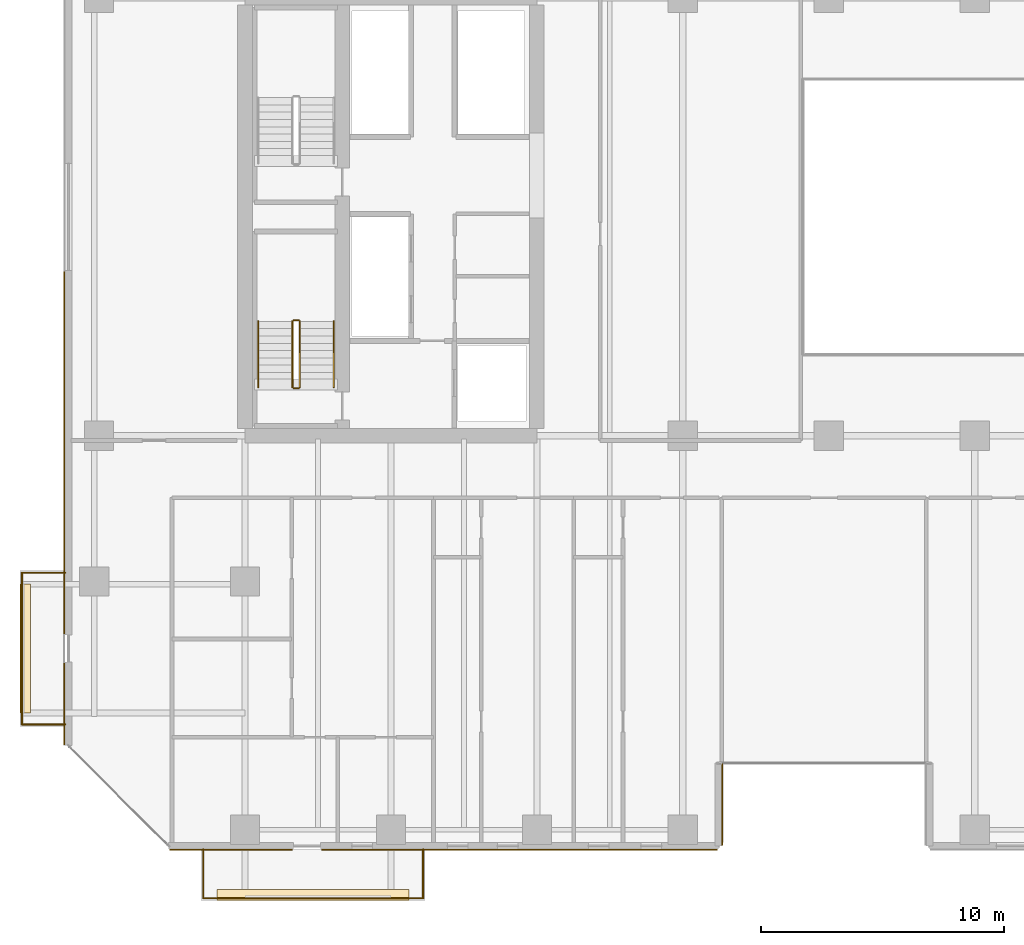
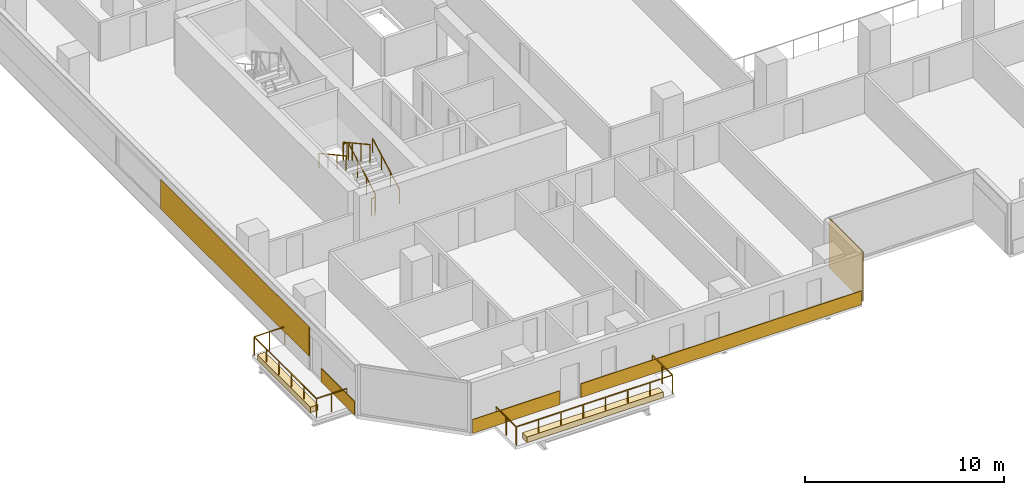
# One storey, part 25 of 33: 8 railings, 7 coverings.
"""IFC4 building model written with IfcOpenShell, lengths in metres."""

import ifcopenshell
import ifcopenshell.guid

model = None  # the IFC model being written
_history = None  # IfcOwnerHistory: only IFC2X3 demands one
_inside = {}  # id of a spatial element -> (the spatial element, [elements in it])
_under = {}  # id of a project, library or spatial element -> (it, [spatial elements below it])
_declared = {}  # id of a project -> (the project, [libraries it declares])
_typed = {}  # id of a type object -> (the type object, [elements of that type])
_made_of = {}  # id of a material, layer set ... -> (it, [elements and type objects made of it])


def new_model(schema):
    """Start an empty IFC model of exactly this schema.

    Asked for "IFC4X3", IfcOpenShell would pick the latest addendum, in which some entities
    have other attributes; the version numbers below select the first issue.
    IFC2X3 requires an IfcOwnerHistory on every rooted entity: one is made here for all.
    """
    global model, _history
    if schema == "IFC4X3":
        model = ifcopenshell.file(schema_version=(4, 3, 0, 0))
    else:
        model = ifcopenshell.file(schema=schema)
    _inside.clear()
    _under.clear()
    _declared.clear()
    _typed.clear()
    _made_of.clear()
    _history = None
    if model.schema == "IFC2X3":
        org = make("IfcOrganization", Name="unknown")
        user = make(
            "IfcPersonAndOrganization",
            ThePerson=make("IfcPerson", FamilyName="unknown"),
            TheOrganization=org,
        )
        app = make(
            "IfcApplication",
            ApplicationDeveloper=org,
            Version="unknown",
            ApplicationFullName="unknown",
            ApplicationIdentifier="unknown",
        )
        _history = make(
            "IfcOwnerHistory",
            OwningUser=user,
            OwningApplication=app,
            ChangeAction="ADDED",
            CreationDate=0,
        )
    return model


def make(cls, **values):
    """One entity of the class cls with the attributes given. An attribute that is None is left unset."""
    return model.create_entity(
        cls, **{name: value for name, value in values.items() if value is not None}
    )


def rooted(cls, **values):
    """An entity with a GlobalId (a new one), such as an element, a storey or a relation."""
    return make(cls, GlobalId=ifcopenshell.guid.new(), OwnerHistory=_history, **values)


def si_unit(unit_type, name, prefix=None):
    """IfcSIUnit, for example si_unit("LENGTHUNIT", "METRE", prefix="MILLI")."""
    return make("IfcSIUnit", UnitType=unit_type, Prefix=prefix, Name=name)


def assignment(units):
    """IfcUnitAssignment: the units of a project."""
    return None if units is None else make("IfcUnitAssignment", Units=units)


def point(xyz):
    """IfcCartesianPoint."""
    return None if xyz is None else make("IfcCartesianPoint", Coordinates=xyz)


def direction(xyz):
    """IfcDirection."""
    return None if xyz is None else make("IfcDirection", DirectionRatios=xyz)


def frame(location, z_axis=None, x_axis=None):
    """IfcAxis2Placement3D, a coordinate frame: its origin and axes. An axis left out is left unset."""
    return make(
        "IfcAxis2Placement3D",
        Location=point(location),
        Axis=direction(z_axis),
        RefDirection=direction(x_axis),
    )


def frame_2d(location, x_axis=None):
    """IfcAxis2Placement2D, a coordinate frame in the plane: its origin and x axis."""
    return make(
        "IfcAxis2Placement2D", Location=point(location), RefDirection=direction(x_axis)
    )


def origin():
    """The frame at (0, 0, 0) with its axes left unset."""
    return frame((0.0, 0.0, 0.0))


def origin_2d():
    """The frame at (0, 0) in the plane with its x axis left unset."""
    return frame_2d((0.0, 0.0))


def place(relative_to, where):
    """IfcLocalPlacement: puts the frame where relative to a parent placement (None: the world)."""
    return make(
        "IfcLocalPlacement", PlacementRelTo=relative_to, RelativePlacement=where
    )


def context(
    kind, dimensions, precision=None, world=None, true_north=None, identifier=None
):
    """IfcGeometricRepresentationContext, for example the 3D "Model" context."""
    return make(
        "IfcGeometricRepresentationContext",
        ContextIdentifier=identifier,
        ContextType=kind,
        CoordinateSpaceDimension=dimensions,
        Precision=precision,
        WorldCoordinateSystem=world,
        TrueNorth=true_north,
    )


def subcontext(parent, identifier, kind, view, scale=None):
    """IfcGeometricRepresentationSubContext, for example "Body" below "Model"."""
    return make(
        "IfcGeometricRepresentationSubContext",
        ContextIdentifier=identifier,
        ContextType=kind,
        ParentContext=parent,
        TargetScale=scale,
        TargetView=view,
    )


def project(units=None, contexts=None):
    """IfcProject with its units and contexts."""
    return rooted(
        "IfcProject",
        Name="project",
        RepresentationContexts=contexts,
        UnitsInContext=assignment(units),
    )


def spatial(cls, under=None, at=None, **own):
    """A site, building, storey or space (cls), placed at a placement, below another one or the project."""
    s = rooted(cls, ObjectPlacement=at, **own)
    if under is not None:
        _under.setdefault(under.id(), (under, []))[1].append(s)
    return s


def polyline(points):
    """IfcPolyline through the points."""
    return make("IfcPolyline", Points=[point(p) for p in points])


def profile(cls, at=None, kind="AREA", **sizes):
    """A parametric profile (cls). Its sizes go by their IFC names, for example OverallWidth=200.0."""
    return make(cls, ProfileType=kind, Position=at, **sizes)


def rectangle(**sizes):
    """IfcRectangleProfileDef."""
    return profile("IfcRectangleProfileDef", **sizes)


def outline(outer, holes=None, kind="AREA"):
    """IfcArbitraryClosedProfileDef: a profile drawn as a closed curve; with holes, ...WithVoids."""
    if holes is None:
        return make("IfcArbitraryClosedProfileDef", ProfileType=kind, OuterCurve=outer)
    return make(
        "IfcArbitraryProfileDefWithVoids",
        ProfileType=kind,
        OuterCurve=outer,
        InnerCurves=holes,
    )


def extrude(swept, where, along, depth):
    """IfcExtrudedAreaSolid: the profile swept, set in the frame where, extruded along a direction by depth."""
    return make(
        "IfcExtrudedAreaSolid",
        SweptArea=swept,
        Position=where,
        ExtrudedDirection=direction(along),
        Depth=depth,
    )


def shape(context_of_items, identifier, shape_type, items):
    """IfcShapeRepresentation: the items that make up one representation, for example the "Body"."""
    return make(
        "IfcShapeRepresentation",
        ContextOfItems=context_of_items,
        RepresentationIdentifier=identifier,
        RepresentationType=shape_type,
        Items=items,
    )


def material(Name=None, Category=None):
    """IfcMaterial."""
    return make("IfcMaterial", Name=Name, Category=Category)


def layer(
    of_material, thickness, ventilated=None, Name=None, Category=None, Priority=None
):
    """IfcMaterialLayer: one layer of a wall or slab, of a material (None: an air gap)."""
    return make(
        "IfcMaterialLayer",
        Material=of_material,
        LayerThickness=thickness,
        IsVentilated=ventilated,
        Name=Name,
        Category=Category,
        Priority=Priority,
    )


def layer_set(layers, Name=None):
    """IfcMaterialLayerSet."""
    return make("IfcMaterialLayerSet", MaterialLayers=layers, LayerSetName=Name)


def made_of(thing, what):
    """Note that an element or type object is made of a material, layer set ...; save() writes the relation."""
    if what is not None:
        _made_of.setdefault(what.id(), (what, []))[1].append(thing)
    return thing


def type_object(cls, material=None, **own):
    """A type object (cls), such as IfcWallType, which elements share."""
    return made_of(rooted(cls, **own), material)


def element(
    cls,
    number,
    at=None,
    inside=None,
    cuts=None,
    type_object=None,
    material=None,
    context=None,
    identifier="Body",
    shape_type=None,
    held_by="IfcProductDefinitionShape",
    body=None,
    shapes=None,
    **own,
):
    """One element of the class cls, such as IfcWall. Its Tag is "e" and its number.

    at: its placement. inside: the storey or other place that contains it. cuts: it is an
    opening in that element (IfcRelVoidsElement). A single representation is given by context,
    identifier, shape_type and body (its items); several are given by shapes. held_by: the class
    of the entity that holds the representations. save() writes the other relations.
    """
    e = rooted(cls, Tag="e%d" % number, ObjectPlacement=at, **own)
    if body is not None:
        shapes = [shape(context, identifier, shape_type, body)]
    if shapes is not None:
        e.Representation = make(held_by, Representations=shapes)
    if inside is not None:
        _inside.setdefault(inside.id(), (inside, []))[1].append(e)
    if cuts is not None:
        rooted(
            "IfcRelVoidsElement", RelatingBuildingElement=cuts, RelatedOpeningElement=e
        )
    if type_object is not None:
        _typed.setdefault(type_object.id(), (type_object, []))[1].append(e)
    return made_of(e, material)


def aggregate(whole, parts):
    """IfcRelAggregates: a whole, such as a stair, and the parts it consists of."""
    return rooted("IfcRelAggregates", RelatingObject=whole, RelatedObjects=parts)


def save(model, path):
    """Write the relations noted so far, then the file.

    IfcRelAggregates (storeys below a building ...), IfcRelContainedInSpatialStructure (elements
    in a storey), IfcRelDefinesByType, IfcRelAssociatesMaterial and IfcRelDeclares: one each for
    every whole, place, type object, material and project.
    """
    for whole, parts in _under.values():
        aggregate(whole, parts)
    for where, things in _inside.values():
        rooted(
            "IfcRelContainedInSpatialStructure",
            RelatedElements=things,
            RelatingStructure=where,
        )
    for kind, things in _typed.values():
        rooted("IfcRelDefinesByType", RelatedObjects=things, RelatingType=kind)
    for what, things in _made_of.values():
        rooted("IfcRelAssociatesMaterial", RelatedObjects=things, RelatingMaterial=what)
    for by, libraries in _declared.values():
        rooted("IfcRelDeclares", RelatingContext=by, RelatedDefinitions=libraries)
    model.write(path)


model = new_model("IFC4")

# Units and contexts
model_context = context("Model", 3, precision=1e-05, world=origin(), true_north=direction((0.0, 1.0)))
body_context = subcontext(model_context, "Body", "Model", "MODEL_VIEW")
ifc_project = project(units=[si_unit("LENGTHUNIT", "METRE"), si_unit("AREAUNIT", "SQUARE_METRE"), si_unit("VOLUMEUNIT", "CUBIC_METRE"), si_unit("PLANEANGLEUNIT", "RADIAN"), si_unit("MASSUNIT", "GRAM", prefix="KILO")], contexts=[model_context])

# Site, building, storey
site_placement = place(None, origin())
site = spatial("IfcSite", under=ifc_project, at=site_placement, CompositionType="ELEMENT")
building_placement = place(site_placement, origin())
building = spatial("IfcBuilding", under=site, at=building_placement, Name="Tanjung Sevakor Pilgrim Tower", CompositionType="ELEMENT")
storey_placement = place(building_placement, frame((0.0, 0.0, 32.340087890625)))
storey = spatial("IfcBuildingStorey", under=building, at=storey_placement, Name="L08", CompositionType="ELEMENT", Elevation=32.340087890625)

# Coverings
ifc_material_1 = material(Name="Reconstructed Limestone Cladding", Category="masonry")
ifc_layer_1 = layer(ifc_material_1, 0.044921875)
ifc_layer_set_1 = layer_set([ifc_layer_1], Name="COV-CLAD-LIMESTONE")
covering_type_1 = type_object("IfcCoveringType", Name="COV-CLAD-LIMESTONE", PredefinedType="CLADDING", material=ifc_layer_set_1)
covering_1_placement = place(storey_placement, frame((23.4189453125, 7.577392578125, 0.009765625), z_axis=(0.0, 0.0, 1.0), x_axis=(1.0, 0.0, 0.0)))
element("IfcCovering", 1, at=covering_1_placement, inside=storey, type_object=covering_type_1, Name="L08 Warm Limestone Sill Spandrel EW-L08-MAIN-1-1", PredefinedType="CLADDING", context=body_context, shape_type="SweptSolid", body=[
    extrude(rectangle(XDim=5.0419921875, YDim=0.044921875, at=origin_2d()), origin(), (0.0, 0.0, 1.0), 0.840087890625),
])
covering_2_placement = place(storey_placement, frame((35.2900390625, 7.577392578125, 0.009765625), z_axis=(0.0, 0.0, 1.0), x_axis=(1.0, 0.0, 0.0)))
element("IfcCovering", 2, at=covering_2_placement, inside=storey, type_object=covering_type_1, Name="L08 Warm Limestone Sill Spandrel EW-L08-MAIN-1-2", PredefinedType="CLADDING", context=body_context, shape_type="SweptSolid", body=[
    extrude(rectangle(XDim=16.260009765625, YDim=0.044921875, at=origin_2d()), origin(), (0.0, 0.0, 1.0), 0.840087890625),
])
covering_3_placement = place(storey_placement, frame((43.62255859375, 9.43994140625, 0.019775390625), z_axis=(0.0, 0.0, 1.0), x_axis=(0.0, 1.0, 0.0)))
element("IfcCovering", 3, at=covering_3_placement, inside=storey, type_object=covering_type_1, Name="L08 Warm Limestone Wall Cladding EW-L08-MAIN-2", PredefinedType="CLADDING", context=body_context, shape_type="SweptSolid", body=[
    extrude(rectangle(XDim=3.360107421875, YDim=0.044921875, at=origin_2d()), origin(), (0.0, 0.0, 1.0), 3.0400390625),
])
covering_4_placement = place(storey_placement, frame((16.577392578125, 13.569091796875, 0.009765625), z_axis=(0.0, 0.0, 1.0), x_axis=(0.0, -1.0, 0.0)))
element("IfcCovering", 4, at=covering_4_placement, inside=storey, type_object=covering_type_1, Name="L08 Warm Limestone Sill Spandrel EW-L08-MAIN-15-2", PredefinedType="CLADDING", context=body_context, shape_type="SweptSolid", body=[
    extrude(rectangle(XDim=3.342041015625, YDim=0.044921875, at=origin_2d()), origin(), (0.0, 0.0, 1.0), 0.840087890625),
])
covering_5_placement = place(storey_placement, frame((16.577392578125, 23.89990234375, 0.849853515625), z_axis=(0.0, 0.0, 1.0), x_axis=(0.0, -1.0, 0.0)))
element("IfcCovering", 5, at=covering_5_placement, inside=storey, type_object=covering_type_1, Name="L08 Warm Limestone Pier Panel EW-L08-MAIN-15-2", PredefinedType="CLADDING", context=body_context, shape_type="SweptSolid", body=[
    extrude(rectangle(XDim=14.89990234375, YDim=0.044921875, at=origin_2d()), origin(), (0.0, 0.0, 1.0), 1.81005859375),
])
ifc_material_2 = material(Name="Vegetated Modular Planter Assembly", Category="organic")
ifc_layer_2 = layer(ifc_material_2, 0.35009765625)
ifc_layer_set_2 = layer_set([ifc_layer_2], Name="COV-GRN-TROUGH")
covering_type_2 = type_object("IfcCoveringType", Name="COV-GRN-TROUGH", PredefinedType="CLADDING", material=ifc_layer_set_2)
covering_6_placement = place(storey_placement, origin())
element("IfcCovering", 6, at=covering_6_placement, inside=storey, type_object=covering_type_2, Name="L08 Planted Landscape Hedge Trough BGRN-L08-MAIN-S1", PredefinedType="CLADDING", context=body_context, shape_type="SweptSolid", body=[
    extrude(outline(polyline([(22.85009765625, 5.5), (30.75, 5.5), (30.75, 5.93994140625), (22.85009765625, 5.93994140625), (22.85009765625, 5.5)])), origin(), (0.0, 0.0, 1.0), 0.349853515625),
])
covering_7_placement = place(storey_placement, origin())
element("IfcCovering", 7, at=covering_7_placement, inside=storey, type_object=covering_type_2, Name="L08 Planted Landscape Hedge Trough BGRN-L08-MAIN-W1", PredefinedType="CLADDING", context=body_context, shape_type="SweptSolid", body=[
    extrude(outline(polyline([(15.18994140625, 13.199951171875), (15.18994140625, 18.5), (14.75, 18.5), (14.75, 13.199951171875), (15.18994140625, 13.199951171875)])), origin(), (0.0, 0.0, 1.0), 0.349853515625),
])

# Railings
ifc_material_3 = material(Name="Laminated Glass and Aluminium", Category="aluminium")
railing_type_1 = type_object("IfcRailingType", Name="RL-BAL-BALUST", PredefinedType="BALUSTRADE", material=ifc_material_3)
railing_1_placement = place(storey_placement, frame((22.280029296875, 7.60009765625, 0.0)))
element("IfcRailing", 8, at=railing_1_placement, inside=storey, type_object=railing_type_1, Name="L08 Loggia Balustrade MAIN-S1", PredefinedType="BALUSTRADE", context=body_context, shape_type="SweptSolid", body=[
    extrude(rectangle(XDim=0.0479, YDim=0.0479), frame((0.0, 0.0, 1.1259765625), z_axis=(0.0, -1.0, 0.0), x_axis=(1.0, 0.0, 0.0)), (0.0, 0.0, 1.0), 2.02001953125),
    extrude(rectangle(XDim=0.0479, YDim=0.0479), frame((0.0, -2.02001953125, 1.1259765625), z_axis=(1.0, 0.0, 0.0), x_axis=(0.0, 1.0, 0.0)), (0.0, 0.0, 1.0), 9.0400390625),
    extrude(rectangle(XDim=0.0479, YDim=0.0479), frame((9.0400390625, -2.02001953125, 1.1259765625), z_axis=(0.0, 1.0, 0.0), x_axis=(-1.0, 0.0, 0.0)), (0.0, 0.0, 1.0), 2.02001953125),
    extrude(rectangle(XDim=0.042, YDim=0.042), origin(), (0.0, 0.0, 1.0), 1.101806640625),
    extrude(rectangle(XDim=0.042, YDim=0.042), frame((0.0, -1.010009765625, 0.0)), (0.0, 0.0, 1.0), 1.101806640625),
    extrude(rectangle(XDim=0.042, YDim=0.042), frame((0.0, -2.02001953125, 0.0)), (0.0, 0.0, 1.0), 1.101806640625),
    extrude(rectangle(XDim=0.042, YDim=0.042), frame((1.29150390625, -2.02001953125, 0.0)), (0.0, 0.0, 1.0), 1.101806640625),
    extrude(rectangle(XDim=0.042, YDim=0.042), frame((2.582763671875, -2.02001953125, 0.0)), (0.0, 0.0, 1.0), 1.101806640625),
    extrude(rectangle(XDim=0.042, YDim=0.042), frame((3.874267578125, -2.02001953125, 0.0)), (0.0, 0.0, 1.0), 1.101806640625),
    extrude(rectangle(XDim=0.042, YDim=0.042), frame((5.165771484375, -2.02001953125, 0.0)), (0.0, 0.0, 1.0), 1.101806640625),
    extrude(rectangle(XDim=0.042, YDim=0.042), frame((6.457275390625, -2.02001953125, 0.0)), (0.0, 0.0, 1.0), 1.101806640625),
    extrude(rectangle(XDim=0.042, YDim=0.042), frame((7.74853515625, -2.02001953125, 0.0)), (0.0, 0.0, 1.0), 1.101806640625),
    extrude(rectangle(XDim=0.042, YDim=0.042), frame((9.0400390625, -2.02001953125, 0.0)), (0.0, 0.0, 1.0), 1.101806640625),
    extrude(rectangle(XDim=0.042, YDim=0.042), frame((9.0400390625, -1.010009765625, 0.0)), (0.0, 0.0, 1.0), 1.101806640625),
    extrude(rectangle(XDim=0.042, YDim=0.042), frame((9.0400390625, 0.0, 0.0)), (0.0, 0.0, 1.0), 1.101806640625),
])
railing_2_placement = place(storey_placement, frame((16.60009765625, 12.72998046875, 0.0)))
element("IfcRailing", 9, at=railing_2_placement, inside=storey, type_object=railing_type_1, Name="L08 Loggia Balustrade MAIN-W1", PredefinedType="BALUSTRADE", context=body_context, shape_type="SweptSolid", body=[
    extrude(rectangle(XDim=0.0479, YDim=0.0479), frame((0.0, 0.0, 1.1259765625), z_axis=(-1.0, 0.0, 0.0), x_axis=(0.0, -1.0, 0.0)), (0.0, 0.0, 1.0), 1.77001953125),
    extrude(rectangle(XDim=0.0479, YDim=0.0479), frame((-1.77001953125, 0.0, 1.1259765625), z_axis=(0.0, 1.0, 0.0), x_axis=(-1.0, 0.0, 0.0)), (0.0, 0.0, 1.0), 6.239990234375),
    extrude(rectangle(XDim=0.0479, YDim=0.0479), frame((-1.77001953125, 6.239990234375, 1.1259765625), z_axis=(1.0, 0.0, 0.0), x_axis=(0.0, 1.0, 0.0)), (0.0, 0.0, 1.0), 1.77001953125),
    extrude(rectangle(XDim=0.042, YDim=0.042), origin(), (0.0, 0.0, 1.0), 1.101806640625),
    extrude(rectangle(XDim=0.042, YDim=0.042), frame((-0.885009765625, 0.0, 0.0)), (0.0, 0.0, 1.0), 1.101806640625),
    extrude(rectangle(XDim=0.042, YDim=0.042), frame((-1.77001953125, 0.0, 0.0)), (0.0, 0.0, 1.0), 1.101806640625),
    extrude(rectangle(XDim=0.042, YDim=0.042), frame((-1.77001953125, 1.248046875, 0.0)), (0.0, 0.0, 1.0), 1.101806640625),
    extrude(rectangle(XDim=0.042, YDim=0.042), frame((-1.77001953125, 2.49609375, 0.0)), (0.0, 0.0, 1.0), 1.101806640625),
    extrude(rectangle(XDim=0.042, YDim=0.042), frame((-1.77001953125, 3.743896484375, 0.0)), (0.0, 0.0, 1.0), 1.101806640625),
    extrude(rectangle(XDim=0.042, YDim=0.042), frame((-1.77001953125, 4.991943359375, 0.0)), (0.0, 0.0, 1.0), 1.101806640625),
    extrude(rectangle(XDim=0.042, YDim=0.042), frame((-1.77001953125, 6.239990234375, 0.0)), (0.0, 0.0, 1.0), 1.101806640625),
    extrude(rectangle(XDim=0.042, YDim=0.042), frame((-0.885009765625, 6.239990234375, 0.0)), (0.0, 0.0, 1.0), 1.101806640625),
    extrude(rectangle(XDim=0.042, YDim=0.042), frame((0.0, 6.239990234375, 0.0)), (0.0, 0.0, 1.0), 1.101806640625),
])
ifc_material_4 = material(Name="Steel S355J2", Category="steel")
railing_type_2 = type_object("IfcRailingType", Name="RL-STAIR-GUARD", PredefinedType="GUARDRAIL", material=ifc_material_4)
railing_3_placement = place(storey_placement, frame((26.25, 26.60009765625, 0.164794921875)))
element("IfcRailing", 10, at=railing_3_placement, inside=storey, type_object=railing_type_2, Name="L08 TS-W1 stair guard 1", PredefinedType="GUARDRAIL", context=body_context, shape_type="SweptSolid", body=[
    extrude(rectangle(XDim=0.0479, YDim=0.0479), frame((0.0, 0.0, 1.076171875), z_axis=(0.0, 0.876197507361, 0.481952205197), x_axis=(-1.0, 0.0, 0.0)), (0.0, 0.0, 1.0), 3.08154296875),
    extrude(rectangle(XDim=0.042, YDim=0.042), origin(), (0.0, 0.0, 1.0), 1.052001953125),
    extrude(rectangle(XDim=0.042, YDim=0.042), frame((0.0, 0.89990234375, 0.4951171875)), (0.0, 0.0, 1.0), 1.052001953125),
    extrude(rectangle(XDim=0.042, YDim=0.042), frame((0.0, 1.800048828125, 0.989990234375)), (0.0, 0.0, 1.0), 1.052001953125),
    extrude(rectangle(XDim=0.042, YDim=0.042), frame((0.0, 2.699951171875, 1.485107421875)), (0.0, 0.0, 1.0), 1.052001953125),
])
railing_4_placement = place(storey_placement, frame((26.199951171875, 29.35009765625, 1.64990234375)))
element("IfcRailing", 11, at=railing_4_placement, inside=storey, type_object=railing_type_2, Name="L08 TS-W1 stair guard 2", PredefinedType="GUARDRAIL", context=body_context, shape_type="SweptSolid", body=[
    extrude(rectangle(XDim=0.0479, YDim=0.0479), frame((0.0, 0.0, 1.076171875), z_axis=(-1.0, 0.0, 0.0), x_axis=(0.0, -1.0, 0.0)), (0.0, 0.0, 1.0), 0.199951171875),
    extrude(rectangle(XDim=0.042, YDim=0.042), origin(), (0.0, 0.0, 1.0), 1.052001953125),
    extrude(rectangle(XDim=0.042, YDim=0.042), frame((-0.199951171875, 0.0, 0.0)), (0.0, 0.0, 1.0), 1.052001953125),
])
railing_5_placement = place(storey_placement, frame((25.949951171875, 29.300048828125, 1.81494140625)))
element("IfcRailing", 12, at=railing_5_placement, inside=storey, type_object=railing_type_2, Name="L08 TS-W1 stair guard 3", PredefinedType="GUARDRAIL", context=body_context, shape_type="SweptSolid", body=[
    extrude(rectangle(XDim=0.0479, YDim=0.0479), frame((0.0, 0.0, 1.076171875), z_axis=(0.0, -0.876230963923, 0.481891375584), x_axis=(1.0, 0.0, 0.0)), (0.0, 0.0, 1.0), 3.081298828125),
    extrude(rectangle(XDim=0.042, YDim=0.042), origin(), (0.0, 0.0, 1.0), 1.052001953125),
    extrude(rectangle(XDim=0.042, YDim=0.042), frame((0.0, -0.89990234375, 0.494873046875)), (0.0, 0.0, 1.0), 1.052001953125),
    extrude(rectangle(XDim=0.042, YDim=0.042), frame((0.0, -1.800048828125, 0.989990234375)), (0.0, 0.0, 1.0), 1.052001953125),
    extrude(rectangle(XDim=0.042, YDim=0.042), frame((0.0, -2.699951171875, 1.48486328125)), (0.0, 0.0, 1.0), 1.052001953125),
])
railing_6_placement = place(storey_placement, frame((26.199951171875, 26.550048828125, 0.0)))
element("IfcRailing", 13, at=railing_6_placement, inside=storey, type_object=railing_type_2, Name="L08 TS-W1 stair guard 4", PredefinedType="GUARDRAIL", context=body_context, shape_type="SweptSolid", body=[
    extrude(rectangle(XDim=0.0479, YDim=0.0479), frame((0.0, 0.0, 1.076171875), z_axis=(-1.0, 0.0, 0.0), x_axis=(0.0, -1.0, 0.0)), (0.0, 0.0, 1.0), 0.199951171875),
    extrude(rectangle(XDim=0.042, YDim=0.042), origin(), (0.0, 0.0, 1.0), 1.052001953125),
    extrude(rectangle(XDim=0.042, YDim=0.042), frame((-0.199951171875, 0.0, 0.0)), (0.0, 0.0, 1.0), 1.052001953125),
])
ifc_material_5 = material(Name="Steel S355J2", Category="steel")
railing_type_3 = type_object("IfcRailingType", Name="RL-STAIR-HAND", PredefinedType="HANDRAIL", material=ifc_material_5)
railing_7_placement = place(storey_placement, frame((27.64990234375, 26.60009765625, 0.164794921875)))
element("IfcRailing", 14, at=railing_7_placement, inside=storey, type_object=railing_type_3, Name="L08 TS-W1 stair handrail 1", PredefinedType="HANDRAIL", context=body_context, shape_type="SweptSolid", body=[
    extrude(rectangle(XDim=0.0479, YDim=0.0479), frame((0.0, 0.0, 0.8759765625), z_axis=(0.0, 0.876197507361, 0.481952205197), x_axis=(-1.0, 0.0, 0.0)), (0.0, 0.0, 1.0), 3.08154296875),
    extrude(rectangle(XDim=0.042, YDim=0.042), origin(), (0.0, 0.0, 1.0), 0.851806640625),
    extrude(rectangle(XDim=0.042, YDim=0.042), frame((0.0, 0.89990234375, 0.4951171875)), (0.0, 0.0, 1.0), 0.851806640625),
    extrude(rectangle(XDim=0.042, YDim=0.042), frame((0.0, 1.800048828125, 0.989990234375)), (0.0, 0.0, 1.0), 0.851806640625),
    extrude(rectangle(XDim=0.042, YDim=0.042), frame((0.0, 2.699951171875, 1.485107421875)), (0.0, 0.0, 1.0), 0.851806640625),
])
railing_8_placement = place(storey_placement, frame((24.550048828125, 29.300048828125, 1.81494140625)))
element("IfcRailing", 15, at=railing_8_placement, inside=storey, type_object=railing_type_3, Name="L08 TS-W1 stair handrail 2", PredefinedType="HANDRAIL", context=body_context, shape_type="SweptSolid", body=[
    extrude(rectangle(XDim=0.0479, YDim=0.0479), frame((0.0, 0.0, 0.8759765625), z_axis=(0.0, -0.876230963923, 0.481891375584), x_axis=(1.0, 0.0, 0.0)), (0.0, 0.0, 1.0), 3.081298828125),
    extrude(rectangle(XDim=0.042, YDim=0.042), origin(), (0.0, 0.0, 1.0), 0.851806640625),
    extrude(rectangle(XDim=0.042, YDim=0.042), frame((0.0, -0.89990234375, 0.494873046875)), (0.0, 0.0, 1.0), 0.851806640625),
    extrude(rectangle(XDim=0.042, YDim=0.042), frame((0.0, -1.800048828125, 0.989990234375)), (0.0, 0.0, 1.0), 0.851806640625),
    extrude(rectangle(XDim=0.042, YDim=0.042), frame((0.0, -2.699951171875, 1.48486328125)), (0.0, 0.0, 1.0), 0.851806640625),
])

save(model, "model.ifc")
